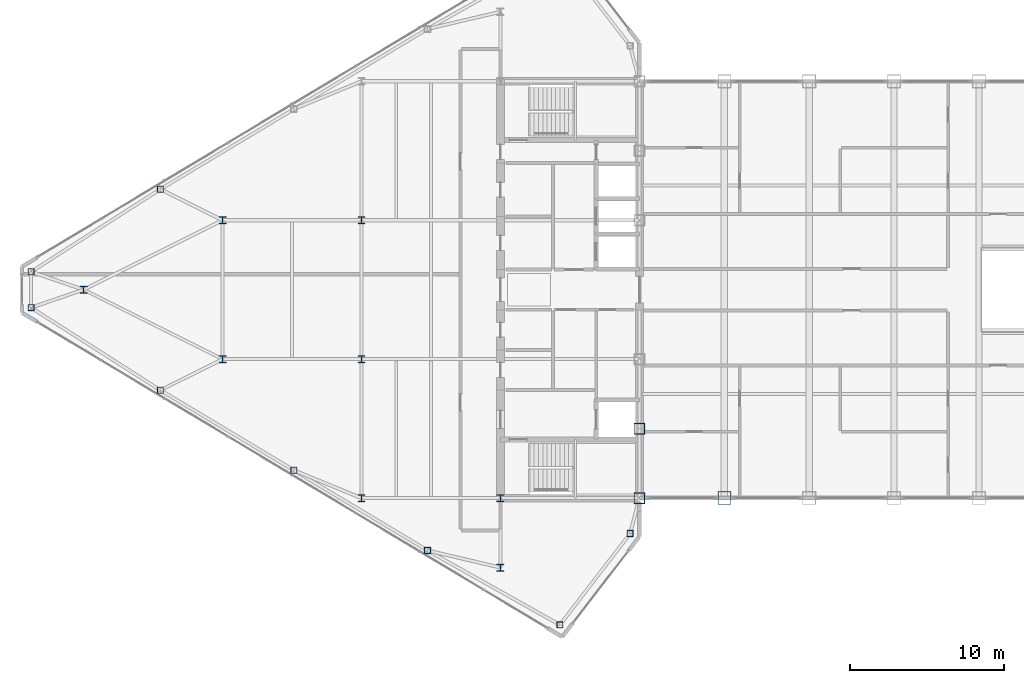
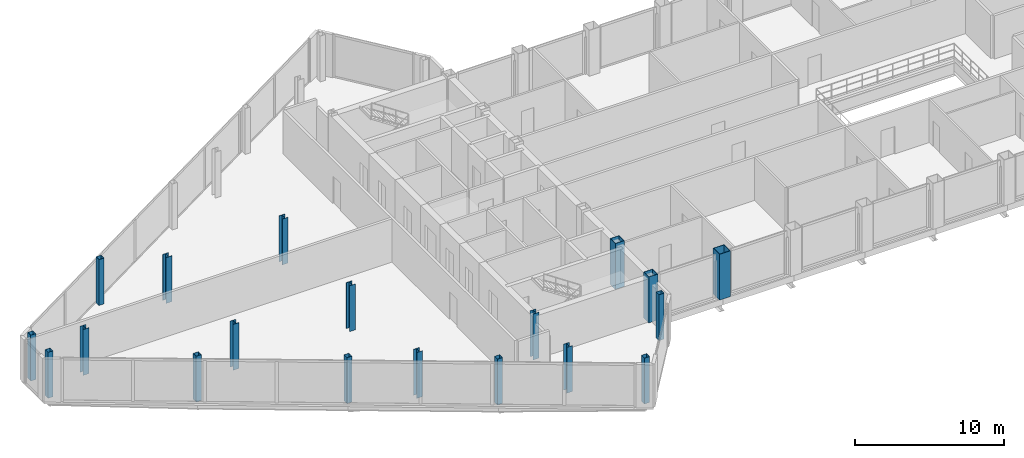
# One storey, part 1 of 29: 19 columns.
"""IFC4 building model written with IfcOpenShell, lengths in metres."""

from ifc_helpers import new_model, si_unit, direction, frame, origin, origin_2d, place, context, subcontext, project, spatial, hollow_rectangle, i_section, extrude, source, transform, mapped, material, material_profile, profile_set, type_object, type_shapes, element, save


model = new_model("IFC4")

# Units and contexts
model_context = context("Model", 3, precision=1e-05, world=origin(), true_north=direction((0.0, 1.0)))
body_context = subcontext(model_context, "Body", "Model", "MODEL_VIEW")
ifc_project = project(units=[si_unit("LENGTHUNIT", "METRE"), si_unit("AREAUNIT", "SQUARE_METRE"), si_unit("VOLUMEUNIT", "CUBIC_METRE"), si_unit("PLANEANGLEUNIT", "RADIAN"), si_unit("MASSUNIT", "GRAM", prefix="KILO")], contexts=[model_context])

# Site, building, storey
site_placement = place(None, origin())
site = spatial("IfcSite", under=ifc_project, at=site_placement, CompositionType="ELEMENT")
building_placement = place(site_placement, origin())
building = spatial("IfcBuilding", under=site, at=building_placement, Name="Seokmaru Belvedere", CompositionType="ELEMENT")
storey_placement = place(building_placement, frame((0.0, 0.0, 258.14990234375)))
storey = spatial("IfcBuildingStorey", under=building, at=storey_placement, Name="L68", CompositionType="ELEMENT", Elevation=258.14990234375)

# Columns
ifc_material_1 = material(Name="Steel SM355 (355 MPa)", Category="steel")
ifc_material_profile_1 = material_profile(ifc_material_1, hollow_rectangle(XDim=0.699951171875, YDim=0.699951171875, WallThickness=0.030029296875, at=origin_2d()), Name="BOX-700x700x30")
ifc_profile_set_1 = profile_set([ifc_material_profile_1], Name="Steel SM355 (355 MPa)")
column_type_1 = type_object("IfcColumnType", Name="Upper Spine Column BOX-700", PredefinedType="COLUMN", material=ifc_profile_set_1)
shared_shape_1 = source(origin(), body_context, "Body", "SweptSolid", [
    extrude(hollow_rectangle(XDim=0.699951171875, YDim=0.699951171875, WallThickness=0.030029296875, at=origin_2d()), origin(), (0.0, 0.0, 1.0), 3.75),
])
type_shapes(column_type_1, [shared_shape_1])
for number, where, z_axis, x_axis, name in (
    (1, (-27.5, -13.5, 0.0), (0.0, 0.0, 1.0), (1.0, 0.0, 0.0), "L68 Column WS1"),
    (2, (-27.5, -9.0, 0.0), (0.0, 0.0, 1.0), (1.0, 0.0, 0.0), "L68 Column WS2"),
):
    element("IfcColumn", number, at=place(storey_placement, frame(where, z_axis=z_axis, x_axis=x_axis)), inside=storey, type_object=column_type_1, Name=name, PredefinedType="COLUMN", context=body_context, shape_type="MappedRepresentation", body=[
        mapped(shared_shape_1, transform((0.0, 0.0, 0.0), scale=1.0)),
    ])
ifc_material_profile_2 = material_profile(ifc_material_1, i_section(OverallWidth=0.449951171875, OverallDepth=0.449951171875, WebThickness=0.01611328125, FlangeThickness=0.02490234375, at=origin_2d()), Name="H-450x450x16x25")
ifc_profile_set_2 = profile_set([ifc_material_profile_2], Name="Steel SM355 (355 MPa)")
column_type_2 = type_object("IfcColumnType", Name="Sky-Gate Column H-450", PredefinedType="COLUMN", material=ifc_profile_set_2)
shared_shape_2 = source(origin(), body_context, "Body", "SweptSolid", [
    extrude(i_section(OverallWidth=0.449951171875, OverallDepth=0.449951171875, WebThickness=0.01611328125, FlangeThickness=0.02490234375, at=origin_2d()), origin(), (0.0, 0.0, 1.0), 3.75),
])
type_shapes(column_type_2, [shared_shape_2])
for number, where, z_axis, x_axis, name in (
    (3, (-36.5, -18.0, 0.0), (0.0, 0.0, 1.0), (1.0, 0.0, 0.0), "L68 Column WC1"),
    (4, (-36.5, -13.5, 0.0), (0.0, 0.0, 1.0), (1.0, 0.0, 0.0), "L68 Column WC2"),
    (5, (-45.5, -13.5, 0.0), (0.0, 0.0, 1.0), (1.0, 0.0, 0.0), "L68 Column WG5_1"),
    (6, (-45.5, -4.5, 0.0), (0.0, 0.0, 1.0), (1.0, 0.0, 0.0), "L68 Column WG5_2"),
    (7, (-45.5, 4.5, 0.0), (0.0, 0.0, 1.0), (1.0, 0.0, 0.0), "L68 Column WG5_3"),
    (8, (-54.5, -4.5, 0.0), (0.0, 0.0, 1.0), (1.0, 0.0, 0.0), "L68 Column WG4P_1"),
    (9, (-54.5, 4.5, 0.0), (0.0, 0.0, 1.0), (1.0, 0.0, 0.0), "L68 Column WG4P_2"),
    (10, (-63.5, 0.0, 0.0), (0.0, 0.0, 1.0), (1.0, 0.0, 0.0), "L68 Column WG3P_1"),
):
    element("IfcColumn", number, at=place(storey_placement, frame(where, z_axis=z_axis, x_axis=x_axis)), inside=storey, type_object=column_type_2, Name=name, PredefinedType="COLUMN", context=body_context, shape_type="MappedRepresentation", body=[
        mapped(shared_shape_2, transform((0.0, 0.0, 0.0), scale=1.0)),
    ])
ifc_material_profile_3 = material_profile(ifc_material_1, hollow_rectangle(XDim=0.39990234375, YDim=0.39990234375, WallThickness=0.01611328125, at=origin_2d()), Name="HSS-400x400x16")
ifc_profile_set_3 = profile_set([ifc_material_profile_3], Name="Steel SM355 (355 MPa)")
column_type_3 = type_object("IfcColumnType", Name="Perimeter Facet Column HSS-400", PredefinedType="COLUMN", material=ifc_profile_set_3)
shared_shape_3 = source(origin(), body_context, "Body", "SweptSolid", [
    extrude(hollow_rectangle(XDim=0.39990234375, YDim=0.39990234375, WallThickness=0.01611328125, at=origin_2d()), origin(), (0.0, 0.0, 1.0), 3.75),
])
type_shapes(column_type_3, [shared_shape_3])
for number, where, z_axis, x_axis, name in (
    (11, (-28.10009765625, -15.7958984375, 0.0), (0.0, 0.0, 1.0), (1.0, 0.0, 0.0), "L68 Column WF1"),
    (12, (-66.89990234375, 1.160400390625, 0.0), (0.0, 0.0, 1.0), (1.0, 0.0, 0.0), "L68 Column WF4"),
    (13, (-66.89990234375, -1.160400390625, 0.0), (0.0, 0.0, 1.0), (1.0, 0.0, 0.0), "L68 Column WF5"),
    (14, (-32.649658203125, -21.71044921875, 0.0), (0.0, 0.0, 1.0), (1.0, 0.0, 0.0), "L68 Column WF6"),
    (15, (-41.229736328125, -16.888916015625, 0.0), (0.0, 0.0, 1.0), (1.0, 0.0, 0.0), "L68 Column WFLK_S1"),
    (16, (-49.8798828125, -11.698974609375, 0.0), (0.0, 0.0, 1.0), (1.0, 0.0, 0.0), "L68 Column WFLK_S2"),
    (17, (-58.530029296875, -6.5087890625, 0.0), (0.0, 0.0, 1.0), (1.0, 0.0, 0.0), "L68 Column WFLK_S3"),
    (18, (-58.530029296875, 6.5087890625, 0.0), (0.0, 0.0, 1.0), (1.0, 0.0, 0.0), "L68 Column WFLK_N3"),
):
    element("IfcColumn", number, at=place(storey_placement, frame(where, z_axis=z_axis, x_axis=x_axis)), inside=storey, type_object=column_type_3, Name=name, PredefinedType="COLUMN", context=body_context, shape_type="MappedRepresentation", body=[
        mapped(shared_shape_3, transform((0.0, 0.0, 0.0), scale=1.0)),
    ])
ifc_material_2 = material(Name="Steel HSA650 (650 MPa)", Category="steel")
ifc_material_profile_4 = material_profile(ifc_material_2, hollow_rectangle(XDim=0.85009765625, YDim=0.85009765625, WallThickness=0.035888671875, at=origin_2d()), Name="BOX-850x850x36")
ifc_profile_set_4 = profile_set([ifc_material_profile_4], Name="Steel HSA650 (650 MPa)")
column_type_4 = type_object("IfcColumnType", Name="Portal Spine Column BOX-850", PredefinedType="COLUMN", material=ifc_profile_set_4)
shared_shape_4 = source(origin(), body_context, "Body", "SweptSolid", [
    extrude(hollow_rectangle(XDim=0.85009765625, YDim=0.85009765625, WallThickness=0.035888671875, at=origin_2d()), origin(), (0.0, 0.0, 1.0), 3.75),
])
type_shapes(column_type_4, [shared_shape_4])
column_placement = place(storey_placement, frame((-22.0, -13.5, 0.0), z_axis=(0.0, 0.0, 1.0), x_axis=(1.0, 0.0, 0.0)))
element("IfcColumn", 19, at=column_placement, inside=storey, type_object=column_type_4, Name="L68 Column BRS_1", PredefinedType="COLUMN", context=body_context, shape_type="MappedRepresentation", body=[
    mapped(shared_shape_4, transform((0.0, 0.0, 0.0), scale=1.0)),
])

save(model, "model.ifc")
